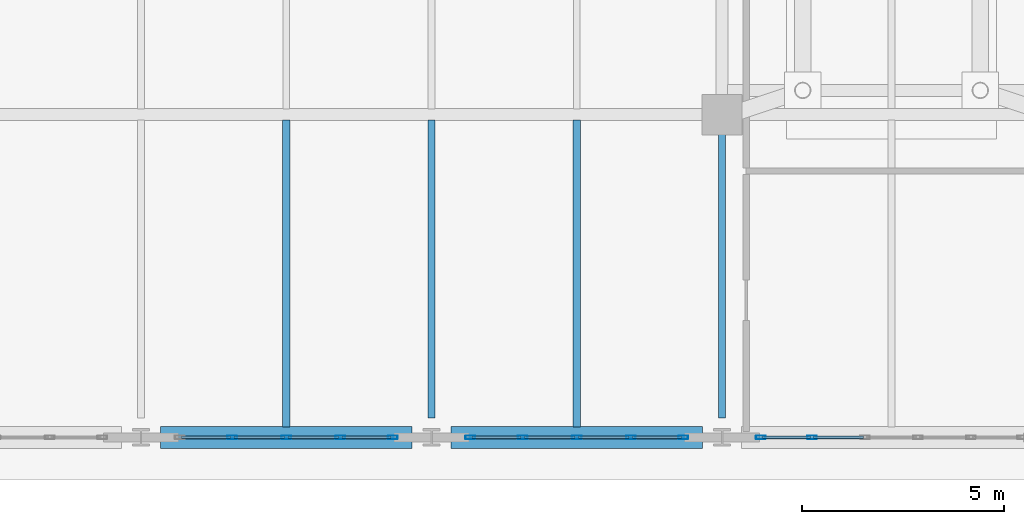
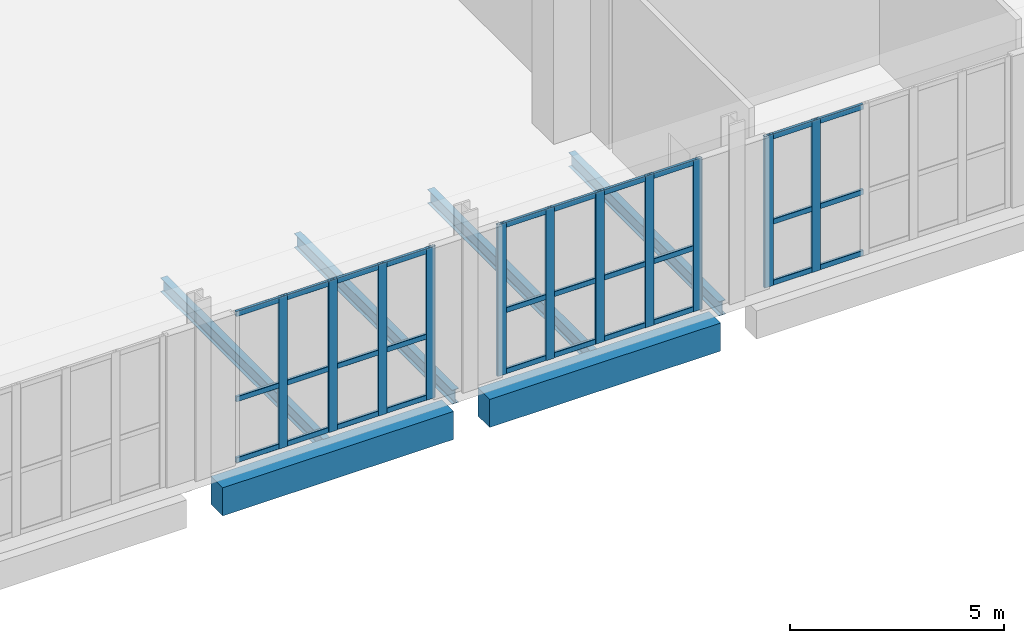
# One storey, part 4 of 26: 41 members, 6 beams, 3 elements without a shape of their own.
"""IFC4 building model written with IfcOpenShell, lengths in metres."""

from ifc_helpers import new_model, si_unit, direction, frame, origin, origin_2d, place, context, subcontext, project, spatial, rectangle, hollow_rectangle, i_section, extrude, material, layer, layer_set, material_profile, profile_set, type_object, element, aggregate, save


model = new_model("IFC4")

# Units and contexts
model_context = context("Model", 3, precision=1e-05, world=origin(), true_north=direction((0.0, 1.0)))
body_context = subcontext(model_context, "Body", "Model", "MODEL_VIEW")
ifc_project = project(units=[si_unit("LENGTHUNIT", "METRE"), si_unit("AREAUNIT", "SQUARE_METRE"), si_unit("VOLUMEUNIT", "CUBIC_METRE"), si_unit("PLANEANGLEUNIT", "RADIAN"), si_unit("MASSUNIT", "GRAM", prefix="KILO")], contexts=[model_context])

# Site, building, storey
site_placement = place(None, origin())
site = spatial("IfcSite", under=ifc_project, at=site_placement, CompositionType="ELEMENT")
building_placement = place(site_placement, origin())
building = spatial("IfcBuilding", under=site, at=building_placement, Name="Kaelvorn Grand Hotel", CompositionType="ELEMENT")
storey_placement = place(building_placement, frame((0.0, 0.0, 294.699951171875)))
storey = spatial("IfcBuildingStorey", under=building, at=storey_placement, Name="L72", CompositionType="ELEMENT", Elevation=294.699951171875)

# Beams
ifc_material_1 = material(Name="Steel S355", Category="steel")
ifc_material_profile_1 = material_profile(ifc_material_1, i_section(OverallWidth=0.179931640625, OverallDepth=0.39990234375, WebThickness=0.008544921875, FlangeThickness=0.013427734375, FilletRadius=0.02099609375, at=origin_2d()), Name="IPE 400")
ifc_profile_set_1 = profile_set([ifc_material_profile_1], Name="Steel S355")
beam_type_1 = type_object("IfcBeamType", Name="BM-J-IPE400-S355", PredefinedType="JOIST", material=ifc_profile_set_1)
beam_1_placement = place(storey_placement, frame((27.0, 7.260009765625, -0.579833984375), z_axis=(0.0, 1.0, 0.0), x_axis=(-1.0, 0.0, 0.0)))
element("IfcBeam", 1, at=beam_1_placement, inside=storey, type_object=beam_type_1, Name="L72 Composite Floor Joist JS-08", PredefinedType="JOIST", context=body_context, shape_type="SweptSolid", body=[
    extrude(i_section(OverallWidth=0.179931640625, OverallDepth=0.39990234375, WebThickness=0.008544921875, FlangeThickness=0.013427734375, FilletRadius=0.02099609375, at=origin_2d()), origin(), (0.0, 0.0, 1.0), 7.60400390625),
])
beam_2_placement = place(storey_placement, frame((30.60009765625, 7.485107421875, -0.579833984375), z_axis=(0.0, 1.0, 0.0), x_axis=(-1.0, 0.0, 0.0)))
element("IfcBeam", 2, at=beam_2_placement, inside=storey, type_object=beam_type_1, Name="L72 Composite Floor Joist JS-09", PredefinedType="JOIST", context=body_context, shape_type="SweptSolid", body=[
    extrude(i_section(OverallWidth=0.179931640625, OverallDepth=0.39990234375, WebThickness=0.008544921875, FlangeThickness=0.013427734375, FilletRadius=0.02099609375, at=origin_2d()), origin(), (0.0, 0.0, 1.0), 7.37890625),
])
beam_3_placement = place(storey_placement, frame((34.199951171875, 7.260009765625, -0.579833984375), z_axis=(0.0, 1.0, 0.0), x_axis=(-1.0, 0.0, 0.0)))
element("IfcBeam", 3, at=beam_3_placement, inside=storey, type_object=beam_type_1, Name="L72 Composite Floor Joist JS-10", PredefinedType="JOIST", context=body_context, shape_type="SweptSolid", body=[
    extrude(i_section(OverallWidth=0.179931640625, OverallDepth=0.39990234375, WebThickness=0.008544921875, FlangeThickness=0.013427734375, FilletRadius=0.02099609375, at=origin_2d()), origin(), (0.0, 0.0, 1.0), 7.60400390625),
])
beam_4_placement = place(storey_placement, frame((37.800048828125, 7.485107421875, -0.579833984375), z_axis=(0.0, 1.0, 0.0), x_axis=(-1.0, 0.0, 0.0)))
element("IfcBeam", 4, at=beam_4_placement, inside=storey, type_object=beam_type_1, Name="L72 Composite Floor Joist JS-11", PredefinedType="JOIST", context=body_context, shape_type="SweptSolid", body=[
    extrude(i_section(OverallWidth=0.179931640625, OverallDepth=0.39990234375, WebThickness=0.008544921875, FlangeThickness=0.013427734375, FilletRadius=0.02099609375, at=origin_2d()), origin(), (0.0, 0.0, 1.0), 7.02978515625),
])
ifc_material_2 = material(Name="Concrete C50/60", Category="concrete")
ifc_material_profile_2 = material_profile(ifc_material_2, rectangle(XDim=0.550048828125, YDim=0.800048828125, at=origin_2d()), Name="RC SPANDREL 550x800")
ifc_profile_set_2 = profile_set([ifc_material_profile_2], Name="Concrete C50/60")
beam_type_2 = type_object("IfcBeamType", Name="BM-SP-550x800-C50", PredefinedType="SPANDREL", material=ifc_profile_set_2)
for number, where, z_axis, x_axis, name in (
    (5, (23.885009765625, 7.0, -0.780029296875), (1.0, 0.0, 0.0), (0.0, 1.0, 0.0), "L72 South Perimeter Spandrel 03"),
    (6, (31.0849609375, 7.0, -0.780029296875), (1.0, 0.0, 0.0), (0.0, 1.0, 0.0), "L72 South Perimeter Spandrel 04"),
):
    element("IfcBeam", number, at=place(storey_placement, frame(where, z_axis=z_axis, x_axis=x_axis)), inside=storey, type_object=beam_type_2, Name=name, PredefinedType="SPANDREL", context=body_context, shape_type="SweptSolid", body=[
        extrude(rectangle(XDim=0.550048828125, YDim=0.800048828125, at=origin_2d()), origin(), (0.0, 0.0, 1.0), 6.22998046875),
    ])

# Curtain wall, members
ifc_material_3 = material(Name="Anodised Aluminium", Category="aluminium")
ifc_layer = layer(ifc_material_3, 0.239990234375)
ifc_layer_set = layer_set([ifc_layer], Name="Anodised Aluminium")
curtain_wall_type = type_object("IfcCurtainWallType", Name="CW-SYS5", PredefinedType="NOTDEFINED", material=ifc_layer_set)
curtain_wall_1_placement = place(storey_placement, origin())
curtain_wall_1 = element("IfcCurtainWall", 7, at=curtain_wall_1_placement, inside=storey, type_object=curtain_wall_type, Name="L72 Unitised Curtain Wall CW5 (CW-L72-S-02)", PredefinedType="NOTDEFINED")
ifc_material_profile_3 = material_profile(ifc_material_3, hollow_rectangle(XDim=0.080078125, YDim=0.239990234375, WallThickness=0.0048828125, InnerFilletRadius=0.0048828125, OuterFilletRadius=0.010009765625, at=origin_2d()), Name="ALU MULL 80x240")
ifc_profile_set_3 = profile_set([ifc_material_profile_3], Name="Anodised Aluminium")
member_type_1 = type_object("IfcMemberType", Name="CW-SYS5-MULL", PredefinedType="MULLION", material=ifc_profile_set_3)
member_1_placement = place(storey_placement, frame((25.659912109375, 7.0, 0.0), z_axis=(0.0, 0.0, 1.0), x_axis=(0.0, 1.0, 0.0)))
member_1 = element("IfcMember", 8, at=member_1_placement, type_object=member_type_1, Name="CW5 mullion 2", PredefinedType="MULLION", context=body_context, shape_type="SweptSolid", body=[
    extrude(hollow_rectangle(XDim=0.080078125, YDim=0.239990234375, WallThickness=0.0048828125, InnerFilletRadius=0.0048828125, OuterFilletRadius=0.010009765625, at=origin_2d()), origin(), (0.0, 0.0, 1.0), 4.320068359375),
])
member_2_placement = place(storey_placement, frame((27.0, 7.0, 0.0), z_axis=(0.0, 0.0, 1.0), x_axis=(0.0, 1.0, 0.0)))
member_2 = element("IfcMember", 9, at=member_2_placement, type_object=member_type_1, Name="CW5 mullion 3", PredefinedType="MULLION", context=body_context, shape_type="SweptSolid", body=[
    extrude(hollow_rectangle(XDim=0.080078125, YDim=0.239990234375, WallThickness=0.0048828125, InnerFilletRadius=0.0048828125, OuterFilletRadius=0.010009765625, at=origin_2d()), origin(), (0.0, 0.0, 1.0), 4.320068359375),
])
member_3_placement = place(storey_placement, frame((28.340087890625, 7.0, 0.0), z_axis=(0.0, 0.0, 1.0), x_axis=(0.0, 1.0, 0.0)))
member_3 = element("IfcMember", 10, at=member_3_placement, type_object=member_type_1, Name="CW5 mullion 4", PredefinedType="MULLION", context=body_context, shape_type="SweptSolid", body=[
    extrude(hollow_rectangle(XDim=0.080078125, YDim=0.239990234375, WallThickness=0.0048828125, InnerFilletRadius=0.0048828125, OuterFilletRadius=0.010009765625, at=origin_2d()), origin(), (0.0, 0.0, 1.0), 4.320068359375),
])
member_4_placement = place(storey_placement, frame((29.639892578125, 7.0, 0.0), z_axis=(0.0, 0.0, 1.0), x_axis=(0.0, 1.0, 0.0)))
member_4 = element("IfcMember", 11, at=member_4_placement, type_object=member_type_1, Name="CW5 mullion 5", PredefinedType="MULLION", context=body_context, shape_type="SweptSolid", body=[
    extrude(hollow_rectangle(XDim=0.080078125, YDim=0.239990234375, WallThickness=0.0048828125, InnerFilletRadius=0.0048828125, OuterFilletRadius=0.010009765625, at=origin_2d()), origin(), (0.0, 0.0, 1.0), 4.320068359375),
])

curtain_wall_2_placement = place(storey_placement, origin())
curtain_wall_2 = element("IfcCurtainWall", 12, at=curtain_wall_2_placement, inside=storey, type_object=curtain_wall_type, Name="L72 Unitised Curtain Wall CW5 (CW-L72-S-03)", PredefinedType="NOTDEFINED")
member_5_placement = place(storey_placement, frame((31.56005859375, 7.0, 0.0), z_axis=(0.0, 0.0, 1.0), x_axis=(0.0, 1.0, 0.0)))
member_5 = element("IfcMember", 13, at=member_5_placement, type_object=member_type_1, Name="CW5 mullion 1", PredefinedType="MULLION", context=body_context, shape_type="SweptSolid", body=[
    extrude(hollow_rectangle(XDim=0.080078125, YDim=0.239990234375, WallThickness=0.0048828125, InnerFilletRadius=0.0048828125, OuterFilletRadius=0.010009765625, at=origin_2d()), origin(), (0.0, 0.0, 1.0), 4.320068359375),
])
member_6_placement = place(storey_placement, frame((32.860107421875, 7.0, 0.0), z_axis=(0.0, 0.0, 1.0), x_axis=(0.0, 1.0, 0.0)))
member_6 = element("IfcMember", 14, at=member_6_placement, type_object=member_type_1, Name="CW5 mullion 2", PredefinedType="MULLION", context=body_context, shape_type="SweptSolid", body=[
    extrude(hollow_rectangle(XDim=0.080078125, YDim=0.239990234375, WallThickness=0.0048828125, InnerFilletRadius=0.0048828125, OuterFilletRadius=0.010009765625, at=origin_2d()), origin(), (0.0, 0.0, 1.0), 4.320068359375),
])
member_7_placement = place(storey_placement, frame((34.199951171875, 7.0, 0.0), z_axis=(0.0, 0.0, 1.0), x_axis=(0.0, 1.0, 0.0)))
member_7 = element("IfcMember", 15, at=member_7_placement, type_object=member_type_1, Name="CW5 mullion 3", PredefinedType="MULLION", context=body_context, shape_type="SweptSolid", body=[
    extrude(hollow_rectangle(XDim=0.080078125, YDim=0.239990234375, WallThickness=0.0048828125, InnerFilletRadius=0.0048828125, OuterFilletRadius=0.010009765625, at=origin_2d()), origin(), (0.0, 0.0, 1.0), 4.320068359375),
])
member_8_placement = place(storey_placement, frame((35.5400390625, 7.0, 0.0), z_axis=(0.0, 0.0, 1.0), x_axis=(0.0, 1.0, 0.0)))
member_8 = element("IfcMember", 16, at=member_8_placement, type_object=member_type_1, Name="CW5 mullion 4", PredefinedType="MULLION", context=body_context, shape_type="SweptSolid", body=[
    extrude(hollow_rectangle(XDim=0.080078125, YDim=0.239990234375, WallThickness=0.0048828125, InnerFilletRadius=0.0048828125, OuterFilletRadius=0.010009765625, at=origin_2d()), origin(), (0.0, 0.0, 1.0), 4.320068359375),
])
member_9_placement = place(storey_placement, frame((36.840087890625, 7.0, 0.0), z_axis=(0.0, 0.0, 1.0), x_axis=(0.0, 1.0, 0.0)))
member_9 = element("IfcMember", 17, at=member_9_placement, type_object=member_type_1, Name="CW5 mullion 5", PredefinedType="MULLION", context=body_context, shape_type="SweptSolid", body=[
    extrude(hollow_rectangle(XDim=0.080078125, YDim=0.239990234375, WallThickness=0.0048828125, InnerFilletRadius=0.0048828125, OuterFilletRadius=0.010009765625, at=origin_2d()), origin(), (0.0, 0.0, 1.0), 4.320068359375),
])

curtain_wall_3_placement = place(storey_placement, origin())
curtain_wall_3 = element("IfcCurtainWall", 18, at=curtain_wall_3_placement, inside=storey, type_object=curtain_wall_type, Name="L72 Unitised Curtain Wall CW5 (CW-L72-S-04)", PredefinedType="NOTDEFINED")
member_10_placement = place(storey_placement, frame((38.760009765625, 7.0, 0.0), z_axis=(0.0, 0.0, 1.0), x_axis=(0.0, 1.0, 0.0)))
member_10 = element("IfcMember", 19, at=member_10_placement, type_object=member_type_1, Name="CW5 mullion 1", PredefinedType="MULLION", context=body_context, shape_type="SweptSolid", body=[
    extrude(hollow_rectangle(XDim=0.080078125, YDim=0.239990234375, WallThickness=0.0048828125, InnerFilletRadius=0.0048828125, OuterFilletRadius=0.010009765625, at=origin_2d()), origin(), (0.0, 0.0, 1.0), 4.320068359375),
])
member_11_placement = place(storey_placement, frame((40.031982421875, 7.0, 0.0), z_axis=(0.0, 0.0, 1.0), x_axis=(0.0, 1.0, 0.0)))
member_11 = element("IfcMember", 20, at=member_11_placement, type_object=member_type_1, Name="CW5 mullion 2", PredefinedType="MULLION", context=body_context, shape_type="SweptSolid", body=[
    extrude(hollow_rectangle(XDim=0.080078125, YDim=0.239990234375, WallThickness=0.0048828125, InnerFilletRadius=0.0048828125, OuterFilletRadius=0.010009765625, at=origin_2d()), origin(), (0.0, 0.0, 1.0), 4.320068359375),
])

# Member
ifc_material_profile_4 = material_profile(ifc_material_3, hollow_rectangle(XDim=0.074951171875, YDim=0.14990234375, WallThickness=0.00390625, InnerFilletRadius=0.00390625, OuterFilletRadius=0.008056640625, at=origin_2d()), Name="ALU TRAN 75x150")
ifc_profile_set_4 = profile_set([ifc_material_profile_4], Name="Anodised Aluminium")
member_type_2 = type_object("IfcMemberType", Name="CW-SYS5-TRAN", PredefinedType="NOTDEFINED", material=ifc_profile_set_4)
member_12_placement = place(storey_placement, frame((24.39990234375, 7.0, 0.074951171875), z_axis=(1.0, 0.0, 0.0), x_axis=(0.0, 1.0, 0.0)))
member_12 = element("IfcMember", 21, at=member_12_placement, type_object=member_type_2, Name="CW5 transom 1.1", ObjectType="TRANSOM", PredefinedType="USERDEFINED", context=body_context, shape_type="SweptSolid", body=[
    extrude(hollow_rectangle(XDim=0.074951171875, YDim=0.14990234375, WallThickness=0.00390625, InnerFilletRadius=0.00390625, OuterFilletRadius=0.008056640625, at=origin_2d()), origin(), (0.0, 0.0, 1.0), 1.22021484375),
])

member_13_placement = place(storey_placement, frame((24.39990234375, 7.0, 1.814453125), z_axis=(1.0, 0.0, 0.0), x_axis=(0.0, 1.0, 0.0)))
member_13 = element("IfcMember", 22, at=member_13_placement, type_object=member_type_2, Name="CW5 transom 1.2", ObjectType="TRANSOM", PredefinedType="USERDEFINED", context=body_context, shape_type="SweptSolid", body=[
    extrude(hollow_rectangle(XDim=0.074951171875, YDim=0.14990234375, WallThickness=0.00390625, InnerFilletRadius=0.00390625, OuterFilletRadius=0.008056640625, at=origin_2d()), origin(), (0.0, 0.0, 1.0), 1.22021484375),
])

member_14_placement = place(storey_placement, frame((24.39990234375, 7.0, 4.2451171875), z_axis=(1.0, 0.0, 0.0), x_axis=(0.0, 1.0, 0.0)))
member_14 = element("IfcMember", 23, at=member_14_placement, type_object=member_type_2, Name="CW5 transom 1.3", ObjectType="TRANSOM", PredefinedType="USERDEFINED", context=body_context, shape_type="SweptSolid", body=[
    extrude(hollow_rectangle(XDim=0.074951171875, YDim=0.14990234375, WallThickness=0.00390625, InnerFilletRadius=0.00390625, OuterFilletRadius=0.008056640625, at=origin_2d()), origin(), (0.0, 0.0, 1.0), 1.22021484375),
])

member_15_placement = place(storey_placement, frame((25.699951171875, 7.0, 0.074951171875), z_axis=(1.0, 0.0, 0.0), x_axis=(0.0, 1.0, 0.0)))
member_15 = element("IfcMember", 24, at=member_15_placement, type_object=member_type_2, Name="CW5 transom 2.1", ObjectType="TRANSOM", PredefinedType="USERDEFINED", context=body_context, shape_type="SweptSolid", body=[
    extrude(hollow_rectangle(XDim=0.074951171875, YDim=0.14990234375, WallThickness=0.00390625, InnerFilletRadius=0.00390625, OuterFilletRadius=0.008056640625, at=origin_2d()), origin(), (0.0, 0.0, 1.0), 1.260009765625),
])

member_16_placement = place(storey_placement, frame((25.699951171875, 7.0, 1.814453125), z_axis=(1.0, 0.0, 0.0), x_axis=(0.0, 1.0, 0.0)))
member_16 = element("IfcMember", 25, at=member_16_placement, type_object=member_type_2, Name="CW5 transom 2.2", ObjectType="TRANSOM", PredefinedType="USERDEFINED", context=body_context, shape_type="SweptSolid", body=[
    extrude(hollow_rectangle(XDim=0.074951171875, YDim=0.14990234375, WallThickness=0.00390625, InnerFilletRadius=0.00390625, OuterFilletRadius=0.008056640625, at=origin_2d()), origin(), (0.0, 0.0, 1.0), 1.260009765625),
])

member_17_placement = place(storey_placement, frame((25.699951171875, 7.0, 4.2451171875), z_axis=(1.0, 0.0, 0.0), x_axis=(0.0, 1.0, 0.0)))
member_17 = element("IfcMember", 26, at=member_17_placement, type_object=member_type_2, Name="CW5 transom 2.3", ObjectType="TRANSOM", PredefinedType="USERDEFINED", context=body_context, shape_type="SweptSolid", body=[
    extrude(hollow_rectangle(XDim=0.074951171875, YDim=0.14990234375, WallThickness=0.00390625, InnerFilletRadius=0.00390625, OuterFilletRadius=0.008056640625, at=origin_2d()), origin(), (0.0, 0.0, 1.0), 1.260009765625),
])

member_18_placement = place(storey_placement, frame((27.0400390625, 7.0, 0.074951171875), z_axis=(1.0, 0.0, 0.0), x_axis=(0.0, 1.0, 0.0)))
member_18 = element("IfcMember", 27, at=member_18_placement, type_object=member_type_2, Name="CW5 transom 3.1", ObjectType="TRANSOM", PredefinedType="USERDEFINED", context=body_context, shape_type="SweptSolid", body=[
    extrude(hollow_rectangle(XDim=0.074951171875, YDim=0.14990234375, WallThickness=0.00390625, InnerFilletRadius=0.00390625, OuterFilletRadius=0.008056640625, at=origin_2d()), origin(), (0.0, 0.0, 1.0), 1.260009765625),
])

member_19_placement = place(storey_placement, frame((27.0400390625, 7.0, 1.814453125), z_axis=(1.0, 0.0, 0.0), x_axis=(0.0, 1.0, 0.0)))
member_19 = element("IfcMember", 28, at=member_19_placement, type_object=member_type_2, Name="CW5 transom 3.2", ObjectType="TRANSOM", PredefinedType="USERDEFINED", context=body_context, shape_type="SweptSolid", body=[
    extrude(hollow_rectangle(XDim=0.074951171875, YDim=0.14990234375, WallThickness=0.00390625, InnerFilletRadius=0.00390625, OuterFilletRadius=0.008056640625, at=origin_2d()), origin(), (0.0, 0.0, 1.0), 1.260009765625),
])

member_20_placement = place(storey_placement, frame((27.0400390625, 7.0, 4.2451171875), z_axis=(1.0, 0.0, 0.0), x_axis=(0.0, 1.0, 0.0)))
member_20 = element("IfcMember", 29, at=member_20_placement, type_object=member_type_2, Name="CW5 transom 3.3", ObjectType="TRANSOM", PredefinedType="USERDEFINED", context=body_context, shape_type="SweptSolid", body=[
    extrude(hollow_rectangle(XDim=0.074951171875, YDim=0.14990234375, WallThickness=0.00390625, InnerFilletRadius=0.00390625, OuterFilletRadius=0.008056640625, at=origin_2d()), origin(), (0.0, 0.0, 1.0), 1.260009765625),
])

member_21_placement = place(storey_placement, frame((28.3798828125, 7.0, 0.074951171875), z_axis=(1.0, 0.0, 0.0), x_axis=(0.0, 1.0, 0.0)))
member_21 = element("IfcMember", 30, at=member_21_placement, type_object=member_type_2, Name="CW5 transom 4.1", ObjectType="TRANSOM", PredefinedType="USERDEFINED", context=body_context, shape_type="SweptSolid", body=[
    extrude(hollow_rectangle(XDim=0.074951171875, YDim=0.14990234375, WallThickness=0.00390625, InnerFilletRadius=0.00390625, OuterFilletRadius=0.008056640625, at=origin_2d()), origin(), (0.0, 0.0, 1.0), 1.22021484375),
])

member_22_placement = place(storey_placement, frame((28.3798828125, 7.0, 1.814453125), z_axis=(1.0, 0.0, 0.0), x_axis=(0.0, 1.0, 0.0)))
member_22 = element("IfcMember", 31, at=member_22_placement, type_object=member_type_2, Name="CW5 transom 4.2", ObjectType="TRANSOM", PredefinedType="USERDEFINED", context=body_context, shape_type="SweptSolid", body=[
    extrude(hollow_rectangle(XDim=0.074951171875, YDim=0.14990234375, WallThickness=0.00390625, InnerFilletRadius=0.00390625, OuterFilletRadius=0.008056640625, at=origin_2d()), origin(), (0.0, 0.0, 1.0), 1.22021484375),
])

member_23_placement = place(storey_placement, frame((28.3798828125, 7.0, 4.2451171875), z_axis=(1.0, 0.0, 0.0), x_axis=(0.0, 1.0, 0.0)))
member_23 = element("IfcMember", 32, at=member_23_placement, type_object=member_type_2, Name="CW5 transom 4.3", ObjectType="TRANSOM", PredefinedType="USERDEFINED", context=body_context, shape_type="SweptSolid", body=[
    extrude(hollow_rectangle(XDim=0.074951171875, YDim=0.14990234375, WallThickness=0.00390625, InnerFilletRadius=0.00390625, OuterFilletRadius=0.008056640625, at=origin_2d()), origin(), (0.0, 0.0, 1.0), 1.22021484375),
])

aggregate(curtain_wall_1, [member_1, member_2, member_3, member_4, member_12, member_13, member_14, member_15, member_16, member_17, member_18, member_19, member_20, member_21, member_22, member_23])

member_24_placement = place(storey_placement, frame((31.60009765625, 7.0, 0.074951171875), z_axis=(1.0, 0.0, 0.0), x_axis=(0.0, 1.0, 0.0)))
member_24 = element("IfcMember", 33, at=member_24_placement, type_object=member_type_2, Name="CW5 transom 1.1", ObjectType="TRANSOM", PredefinedType="USERDEFINED", context=body_context, shape_type="SweptSolid", body=[
    extrude(hollow_rectangle(XDim=0.074951171875, YDim=0.14990234375, WallThickness=0.00390625, InnerFilletRadius=0.00390625, OuterFilletRadius=0.008056640625, at=origin_2d()), origin(), (0.0, 0.0, 1.0), 1.219970703125),
])

member_25_placement = place(storey_placement, frame((31.60009765625, 7.0, 1.814453125), z_axis=(1.0, 0.0, 0.0), x_axis=(0.0, 1.0, 0.0)))
member_25 = element("IfcMember", 34, at=member_25_placement, type_object=member_type_2, Name="CW5 transom 1.2", ObjectType="TRANSOM", PredefinedType="USERDEFINED", context=body_context, shape_type="SweptSolid", body=[
    extrude(hollow_rectangle(XDim=0.074951171875, YDim=0.14990234375, WallThickness=0.00390625, InnerFilletRadius=0.00390625, OuterFilletRadius=0.008056640625, at=origin_2d()), origin(), (0.0, 0.0, 1.0), 1.219970703125),
])

member_26_placement = place(storey_placement, frame((31.60009765625, 7.0, 4.2451171875), z_axis=(1.0, 0.0, 0.0), x_axis=(0.0, 1.0, 0.0)))
member_26 = element("IfcMember", 35, at=member_26_placement, type_object=member_type_2, Name="CW5 transom 1.3", ObjectType="TRANSOM", PredefinedType="USERDEFINED", context=body_context, shape_type="SweptSolid", body=[
    extrude(hollow_rectangle(XDim=0.074951171875, YDim=0.14990234375, WallThickness=0.00390625, InnerFilletRadius=0.00390625, OuterFilletRadius=0.008056640625, at=origin_2d()), origin(), (0.0, 0.0, 1.0), 1.219970703125),
])

member_27_placement = place(storey_placement, frame((32.89990234375, 7.0, 0.074951171875), z_axis=(1.0, 0.0, 0.0), x_axis=(0.0, 1.0, 0.0)))
member_27 = element("IfcMember", 36, at=member_27_placement, type_object=member_type_2, Name="CW5 transom 2.1", ObjectType="TRANSOM", PredefinedType="USERDEFINED", context=body_context, shape_type="SweptSolid", body=[
    extrude(hollow_rectangle(XDim=0.074951171875, YDim=0.14990234375, WallThickness=0.00390625, InnerFilletRadius=0.00390625, OuterFilletRadius=0.008056640625, at=origin_2d()), origin(), (0.0, 0.0, 1.0), 1.260009765625),
])

member_28_placement = place(storey_placement, frame((32.89990234375, 7.0, 1.814453125), z_axis=(1.0, 0.0, 0.0), x_axis=(0.0, 1.0, 0.0)))
member_28 = element("IfcMember", 37, at=member_28_placement, type_object=member_type_2, Name="CW5 transom 2.2", ObjectType="TRANSOM", PredefinedType="USERDEFINED", context=body_context, shape_type="SweptSolid", body=[
    extrude(hollow_rectangle(XDim=0.074951171875, YDim=0.14990234375, WallThickness=0.00390625, InnerFilletRadius=0.00390625, OuterFilletRadius=0.008056640625, at=origin_2d()), origin(), (0.0, 0.0, 1.0), 1.260009765625),
])

member_29_placement = place(storey_placement, frame((32.89990234375, 7.0, 4.2451171875), z_axis=(1.0, 0.0, 0.0), x_axis=(0.0, 1.0, 0.0)))
member_29 = element("IfcMember", 38, at=member_29_placement, type_object=member_type_2, Name="CW5 transom 2.3", ObjectType="TRANSOM", PredefinedType="USERDEFINED", context=body_context, shape_type="SweptSolid", body=[
    extrude(hollow_rectangle(XDim=0.074951171875, YDim=0.14990234375, WallThickness=0.00390625, InnerFilletRadius=0.00390625, OuterFilletRadius=0.008056640625, at=origin_2d()), origin(), (0.0, 0.0, 1.0), 1.260009765625),
])

member_30_placement = place(storey_placement, frame((34.239990234375, 7.0, 0.074951171875), z_axis=(1.0, 0.0, 0.0), x_axis=(0.0, 1.0, 0.0)))
member_30 = element("IfcMember", 39, at=member_30_placement, type_object=member_type_2, Name="CW5 transom 3.1", ObjectType="TRANSOM", PredefinedType="USERDEFINED", context=body_context, shape_type="SweptSolid", body=[
    extrude(hollow_rectangle(XDim=0.074951171875, YDim=0.14990234375, WallThickness=0.00390625, InnerFilletRadius=0.00390625, OuterFilletRadius=0.008056640625, at=origin_2d()), origin(), (0.0, 0.0, 1.0), 1.260009765625),
])

member_31_placement = place(storey_placement, frame((34.239990234375, 7.0, 1.814453125), z_axis=(1.0, 0.0, 0.0), x_axis=(0.0, 1.0, 0.0)))
member_31 = element("IfcMember", 40, at=member_31_placement, type_object=member_type_2, Name="CW5 transom 3.2", ObjectType="TRANSOM", PredefinedType="USERDEFINED", context=body_context, shape_type="SweptSolid", body=[
    extrude(hollow_rectangle(XDim=0.074951171875, YDim=0.14990234375, WallThickness=0.00390625, InnerFilletRadius=0.00390625, OuterFilletRadius=0.008056640625, at=origin_2d()), origin(), (0.0, 0.0, 1.0), 1.260009765625),
])

member_32_placement = place(storey_placement, frame((34.239990234375, 7.0, 4.2451171875), z_axis=(1.0, 0.0, 0.0), x_axis=(0.0, 1.0, 0.0)))
member_32 = element("IfcMember", 41, at=member_32_placement, type_object=member_type_2, Name="CW5 transom 3.3", ObjectType="TRANSOM", PredefinedType="USERDEFINED", context=body_context, shape_type="SweptSolid", body=[
    extrude(hollow_rectangle(XDim=0.074951171875, YDim=0.14990234375, WallThickness=0.00390625, InnerFilletRadius=0.00390625, OuterFilletRadius=0.008056640625, at=origin_2d()), origin(), (0.0, 0.0, 1.0), 1.260009765625),
])

member_33_placement = place(storey_placement, frame((35.580078125, 7.0, 0.074951171875), z_axis=(1.0, 0.0, 0.0), x_axis=(0.0, 1.0, 0.0)))
member_33 = element("IfcMember", 42, at=member_33_placement, type_object=member_type_2, Name="CW5 transom 4.1", ObjectType="TRANSOM", PredefinedType="USERDEFINED", context=body_context, shape_type="SweptSolid", body=[
    extrude(hollow_rectangle(XDim=0.074951171875, YDim=0.14990234375, WallThickness=0.00390625, InnerFilletRadius=0.00390625, OuterFilletRadius=0.008056640625, at=origin_2d()), origin(), (0.0, 0.0, 1.0), 1.219970703125),
])

member_34_placement = place(storey_placement, frame((35.580078125, 7.0, 1.814453125), z_axis=(1.0, 0.0, 0.0), x_axis=(0.0, 1.0, 0.0)))
member_34 = element("IfcMember", 43, at=member_34_placement, type_object=member_type_2, Name="CW5 transom 4.2", ObjectType="TRANSOM", PredefinedType="USERDEFINED", context=body_context, shape_type="SweptSolid", body=[
    extrude(hollow_rectangle(XDim=0.074951171875, YDim=0.14990234375, WallThickness=0.00390625, InnerFilletRadius=0.00390625, OuterFilletRadius=0.008056640625, at=origin_2d()), origin(), (0.0, 0.0, 1.0), 1.219970703125),
])

member_35_placement = place(storey_placement, frame((35.580078125, 7.0, 4.2451171875), z_axis=(1.0, 0.0, 0.0), x_axis=(0.0, 1.0, 0.0)))
member_35 = element("IfcMember", 44, at=member_35_placement, type_object=member_type_2, Name="CW5 transom 4.3", ObjectType="TRANSOM", PredefinedType="USERDEFINED", context=body_context, shape_type="SweptSolid", body=[
    extrude(hollow_rectangle(XDim=0.074951171875, YDim=0.14990234375, WallThickness=0.00390625, InnerFilletRadius=0.00390625, OuterFilletRadius=0.008056640625, at=origin_2d()), origin(), (0.0, 0.0, 1.0), 1.219970703125),
])

aggregate(curtain_wall_2, [member_5, member_6, member_7, member_8, member_9, member_24, member_25, member_26, member_27, member_28, member_29, member_30, member_31, member_32, member_33, member_34, member_35])

member_36_placement = place(storey_placement, frame((38.800048828125, 7.0, 0.074951171875), z_axis=(1.0, 0.0, 0.0), x_axis=(0.0, 1.0, 0.0)))
member_36 = element("IfcMember", 45, at=member_36_placement, type_object=member_type_2, Name="CW5 transom 1.1", ObjectType="TRANSOM", PredefinedType="USERDEFINED", context=body_context, shape_type="SweptSolid", body=[
    extrude(hollow_rectangle(XDim=0.074951171875, YDim=0.14990234375, WallThickness=0.00390625, InnerFilletRadius=0.00390625, OuterFilletRadius=0.008056640625, at=origin_2d()), origin(), (0.0, 0.0, 1.0), 1.19189453125),
])

member_37_placement = place(storey_placement, frame((38.800048828125, 7.0, 1.814453125), z_axis=(1.0, 0.0, 0.0), x_axis=(0.0, 1.0, 0.0)))
member_37 = element("IfcMember", 46, at=member_37_placement, type_object=member_type_2, Name="CW5 transom 1.2", ObjectType="TRANSOM", PredefinedType="USERDEFINED", context=body_context, shape_type="SweptSolid", body=[
    extrude(hollow_rectangle(XDim=0.074951171875, YDim=0.14990234375, WallThickness=0.00390625, InnerFilletRadius=0.00390625, OuterFilletRadius=0.008056640625, at=origin_2d()), origin(), (0.0, 0.0, 1.0), 1.19189453125),
])

member_38_placement = place(storey_placement, frame((38.800048828125, 7.0, 4.2451171875), z_axis=(1.0, 0.0, 0.0), x_axis=(0.0, 1.0, 0.0)))
member_38 = element("IfcMember", 47, at=member_38_placement, type_object=member_type_2, Name="CW5 transom 1.3", ObjectType="TRANSOM", PredefinedType="USERDEFINED", context=body_context, shape_type="SweptSolid", body=[
    extrude(hollow_rectangle(XDim=0.074951171875, YDim=0.14990234375, WallThickness=0.00390625, InnerFilletRadius=0.00390625, OuterFilletRadius=0.008056640625, at=origin_2d()), origin(), (0.0, 0.0, 1.0), 1.19189453125),
])

member_39_placement = place(storey_placement, frame((40.072021484375, 7.0, 0.074951171875), z_axis=(1.0, 0.0, 0.0), x_axis=(0.0, 1.0, 0.0)))
member_39 = element("IfcMember", 48, at=member_39_placement, type_object=member_type_2, Name="CW5 transom 2.1", ObjectType="TRANSOM", PredefinedType="USERDEFINED", context=body_context, shape_type="SweptSolid", body=[
    extrude(hollow_rectangle(XDim=0.074951171875, YDim=0.14990234375, WallThickness=0.00390625, InnerFilletRadius=0.00390625, OuterFilletRadius=0.008056640625, at=origin_2d()), origin(), (0.0, 0.0, 1.0), 1.23193359375),
])

member_40_placement = place(storey_placement, frame((40.072021484375, 7.0, 1.814453125), z_axis=(1.0, 0.0, 0.0), x_axis=(0.0, 1.0, 0.0)))
member_40 = element("IfcMember", 49, at=member_40_placement, type_object=member_type_2, Name="CW5 transom 2.2", ObjectType="TRANSOM", PredefinedType="USERDEFINED", context=body_context, shape_type="SweptSolid", body=[
    extrude(hollow_rectangle(XDim=0.074951171875, YDim=0.14990234375, WallThickness=0.00390625, InnerFilletRadius=0.00390625, OuterFilletRadius=0.008056640625, at=origin_2d()), origin(), (0.0, 0.0, 1.0), 1.23193359375),
])

member_41_placement = place(storey_placement, frame((40.072021484375, 7.0, 4.2451171875), z_axis=(1.0, 0.0, 0.0), x_axis=(0.0, 1.0, 0.0)))
member_41 = element("IfcMember", 50, at=member_41_placement, type_object=member_type_2, Name="CW5 transom 2.3", ObjectType="TRANSOM", PredefinedType="USERDEFINED", context=body_context, shape_type="SweptSolid", body=[
    extrude(hollow_rectangle(XDim=0.074951171875, YDim=0.14990234375, WallThickness=0.00390625, InnerFilletRadius=0.00390625, OuterFilletRadius=0.008056640625, at=origin_2d()), origin(), (0.0, 0.0, 1.0), 1.23193359375),
])

aggregate(curtain_wall_3, [member_10, member_11, member_36, member_37, member_38, member_39, member_40, member_41])

save(model, "model.ifc")
